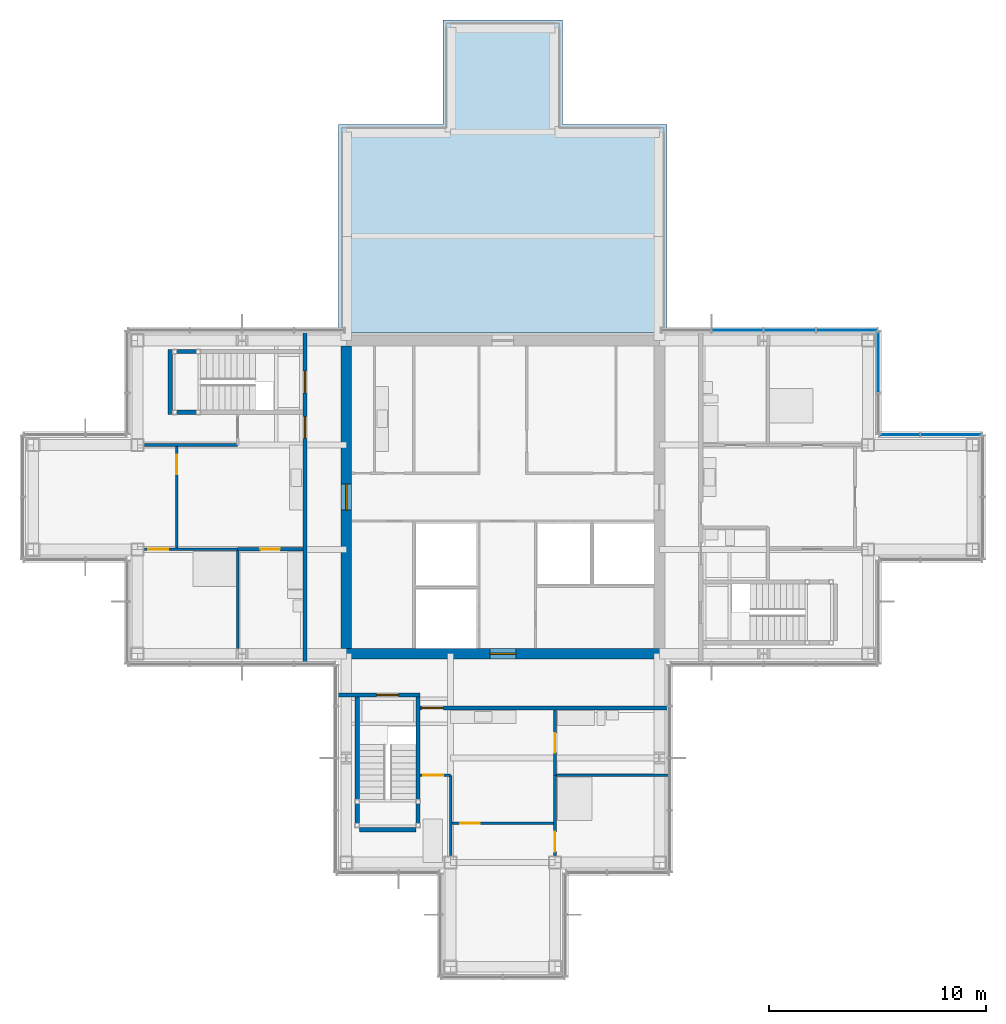
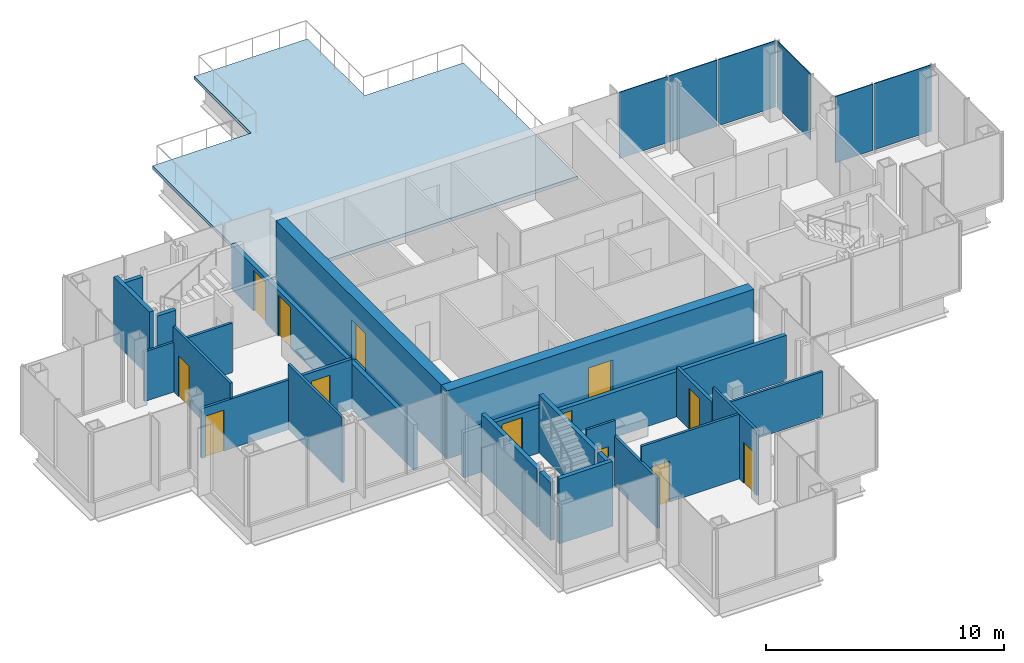
# One storey, part 9 of 14: 24 walls, 13 doors, 6 plates, 1 slab, 13 openings, 3 elements without a shape of their own.
"""IFC4 building model written with IfcOpenShell, lengths in metres."""

from ifc_helpers import new_model, si_unit, direction, frame, frame_2d, origin, origin_2d, place, context, subcontext, project, spatial, polyline, rectangle, outline, extrude, material, layer, layer_set, type_object, element, fill, aggregate, save


model = new_model("IFC4")

# Units and contexts
model_context = context("Model", 3, precision=1e-05, world=origin(), true_north=direction((0.0, 1.0)))
body_context = subcontext(model_context, "Body", "Model", "MODEL_VIEW")
ifc_project = project(units=[si_unit("LENGTHUNIT", "METRE"), si_unit("AREAUNIT", "SQUARE_METRE"), si_unit("VOLUMEUNIT", "CUBIC_METRE"), si_unit("PLANEANGLEUNIT", "RADIAN"), si_unit("MASSUNIT", "GRAM", prefix="KILO")], contexts=[model_context])

# Site, building, storey
site_placement = place(None, origin())
site = spatial("IfcSite", under=ifc_project, at=site_placement, CompositionType="ELEMENT")
building_placement = place(site_placement, origin())
building = spatial("IfcBuilding", under=site, at=building_placement, Name="Kvirike Care Tower", CompositionType="ELEMENT")
storey_placement = place(building_placement, frame((0.0, 0.0, 194.5)))
storey = spatial("IfcBuildingStorey", under=building, at=storey_placement, Name="L53", CompositionType="ELEMENT", Elevation=194.5)

# Slab
ifc_material_1 = material(Name="Concrete C35/45", Category="concrete")
ifc_layer_1 = layer(ifc_material_1, 0.169921875)
ifc_layer_set_1 = layer_set([ifc_layer_1], Name="TERRACE SLAB 170")
slab_type = type_object("IfcSlabType", Name="TERRACE SLAB 170", PredefinedType="ROOF", material=ifc_layer_set_1)
slab_placement = place(storey_placement, frame((0.0, 0.0, -0.169921875)))
element("IfcSlab", 1, at=slab_placement, inside=storey, type_object=slab_type, Name="L53 maintenance roof", PredefinedType="ROOF", context=body_context, shape_type="SweptSolid", body=[
    extrude(outline(polyline([(14.050048828125, 53.14990234375), (14.050048828125, 43.550048828125), (29.14990234375, 43.550048828125), (29.14990234375, 53.14990234375), (24.35009765625, 53.14990234375), (24.35009765625, 57.949951171875), (18.85009765625, 57.949951171875), (18.85009765625, 53.14990234375), (14.050048828125, 53.14990234375)])), origin(), (0.0, 0.0, 1.0), 0.169921875),
])

# Curtain wall, plates
ifc_material_2 = material(Name="Anodised aluminium stick system", Category="aluminium")
curtain_wall_type = type_object("IfcCurtainWallType", Name="CW-D STICK CURTAIN WALL", PredefinedType="NOTDEFINED", material=ifc_material_2)
curtain_wall_1_placement = place(storey_placement, origin())
curtain_wall_1 = element("IfcCurtainWall", 2, at=curtain_wall_1_placement, inside=storey, type_object=curtain_wall_type, Name="Curtain wall L53 face 5", PredefinedType="NOTDEFINED")
ifc_material_3 = material(Name="Tinted double glazed unit", Category="glass")
ifc_layer_2 = layer(ifc_material_3, 0.0439453125)
ifc_layer_set_2 = layer_set([ifc_layer_2], Name="TINTED VISION PANEL 44")
plate_type = type_object("IfcPlateType", Name="TINTED VISION PANEL 44", PredefinedType="CURTAIN_PANEL", material=ifc_layer_set_2)
plate_1_placement = place(storey_placement, frame((42.2236328125, 38.8798828125, 0.10009765625), z_axis=(0.0, 0.0, 1.0), x_axis=(-1.0, 0.0, 0.0)))
plate_1 = element("IfcPlate", 3, at=plate_1_placement, type_object=plate_type, Name="CW-D panel L53 face 5.1", PredefinedType="CURTAIN_PANEL", context=body_context, shape_type="SweptSolid", body=[
    extrude(rectangle(XDim=2.782470703125, YDim=0.0439453125, at=origin_2d()), origin(), (0.0, 0.0, 1.0), 3.39990234375),
])
plate_2_placement = place(storey_placement, frame((39.856201171875, 38.8798828125, 0.10009765625), z_axis=(0.0, 0.0, 1.0), x_axis=(-1.0, 0.0, 0.0)))
plate_2 = element("IfcPlate", 4, at=plate_2_placement, type_object=plate_type, Name="CW-D panel L53 face 5.2", PredefinedType="CURTAIN_PANEL", context=body_context, shape_type="SweptSolid", body=[
    extrude(rectangle(XDim=1.822509765625, YDim=0.0439453125, at=origin_2d()), origin(), (0.0, 0.0, 1.0), 3.39990234375),
])
aggregate(curtain_wall_1, [plate_1, plate_2])

# Curtain wall, plate
curtain_wall_2_placement = place(storey_placement, origin())
curtain_wall_2 = element("IfcCurtainWall", 5, at=curtain_wall_2_placement, inside=storey, type_object=curtain_wall_type, Name="Curtain wall L53 face 6", PredefinedType="NOTDEFINED")
plate_3_placement = place(storey_placement, frame((38.8798828125, 42.2236328125, 0.10009765625), z_axis=(0.0, 0.0, 1.0), x_axis=(0.0, 1.0, 0.0)))
plate_3 = element("IfcPlate", 6, at=plate_3_placement, type_object=plate_type, Name="CW-D panel L53 face 6.2", PredefinedType="CURTAIN_PANEL", context=body_context, shape_type="SweptSolid", body=[
    extrude(rectangle(XDim=2.782470703125, YDim=0.0439453125, at=origin_2d()), origin(), (0.0, 0.0, 1.0), 3.39990234375),
])
aggregate(curtain_wall_2, [plate_3])

# Curtain wall, plates
curtain_wall_3_placement = place(storey_placement, origin())
curtain_wall_3 = element("IfcCurtainWall", 7, at=curtain_wall_3_placement, inside=storey, type_object=curtain_wall_type, Name="Curtain wall L53 face 7", PredefinedType="NOTDEFINED")
plate_4_placement = place(storey_placement, frame((37.423828125, 43.679931640625, 0.10009765625), z_axis=(0.0, 0.0, 1.0), x_axis=(-1.0, 0.0, 0.0)))
plate_4 = element("IfcPlate", 8, at=plate_4_placement, type_object=plate_type, Name="CW-D panel L53 face 7.1", PredefinedType="CURTAIN_PANEL", context=body_context, shape_type="SweptSolid", body=[
    extrude(rectangle(XDim=2.782470703125, YDim=0.0439453125, at=origin_2d()), origin(), (0.0, 0.0, 1.0), 3.39990234375),
])
plate_5_placement = place(storey_placement, frame((34.800048828125, 43.679931640625, 0.10009765625), z_axis=(0.0, 0.0, 1.0), x_axis=(-1.0, 0.0, 0.0)))
plate_5 = element("IfcPlate", 9, at=plate_5_placement, type_object=plate_type, Name="CW-D panel L53 face 7.2", PredefinedType="CURTAIN_PANEL", context=body_context, shape_type="SweptSolid", body=[
    extrude(rectangle(XDim=2.3349609375, YDim=0.0439453125, at=origin_2d()), origin(), (0.0, 0.0, 1.0), 3.39990234375),
])
plate_6_placement = place(storey_placement, frame((32.39990234375, 43.679931640625, 0.10009765625), z_axis=(0.0, 0.0, 1.0), x_axis=(-1.0, 0.0, 0.0)))
plate_6 = element("IfcPlate", 10, at=plate_6_placement, type_object=plate_type, Name="CW-D panel L53 face 7.3", PredefinedType="CURTAIN_PANEL", context=body_context, shape_type="SweptSolid", body=[
    extrude(rectangle(XDim=2.3349609375, YDim=0.0439453125, at=origin_2d()), origin(), (0.0, 0.0, 1.0), 3.39990234375),
])
aggregate(curtain_wall_3, [plate_4, plate_5, plate_6])

# Wall, opening, door
ifc_material_4 = material(Name="Moisture-resistant board partition", Category="gypsum")
ifc_layer_3 = layer(ifc_material_4, 0.14990234375)
ifc_layer_set_3 = layer_set([ifc_layer_3], Name="BATHROOM WALL 150")
wall_type_1 = type_object("IfcWallType", Name="BATHROOM WALL 150", PredefinedType="PARTITIONING", material=ifc_layer_set_3)
wall_1_placement = place(storey_placement, frame((9.39990234375, 33.60009765625, 0.0), z_axis=(0.0, 0.0, 1.0), x_axis=(1.0, 0.0, 0.0)))
wall_1 = element("IfcWall", 11, at=wall_1_placement, inside=storey, type_object=wall_type_1, Name="Bathroom Wall 150 L53", PredefinedType="PARTITIONING", context=body_context, shape_type="SweptSolid", body=[
    extrude(rectangle(XDim=3.0, YDim=0.14990234375, at=frame_2d((1.5, 0.0))), origin(), (0.0, 0.0, 1.0), 2.550048828125),
])
opening_1_placement = place(wall_1_placement, frame((1.050048828125, 0.0, 0.0)))
opening_1 = element("IfcOpeningElement", 12, at=opening_1_placement, cuts=wall_1, Name="Opening 53-001", PredefinedType="OPENING", context=body_context, shape_type="SweptSolid", body=[
    extrude(rectangle(XDim=0.89990234375, YDim=2.10009765625, at=frame_2d((0.449951171875, 1.050048828125))), frame((0.0, 0.08544921875, 0.0), z_axis=(0.0, -1.0, 0.0), x_axis=(1.0, 0.0, 0.0)), (0.0, 0.0, 1.0), 0.1708984375),
])
ifc_material_5 = material(Name="Timber door set", Category="wood")
door_type_1 = type_object("IfcDoorType", Name="BATHROOM DOOR 900", OperationType="SINGLE_SWING_RIGHT", PredefinedType="DOOR", material=ifc_material_5)
door_1_placement = place(opening_1_placement, frame((0.89990234375, 0.0, 0.0), z_axis=(0.0, 0.0, 1.0), x_axis=(-1.0, 0.0, 0.0)))
door_1 = element("IfcDoor", 13, at=door_1_placement, inside=storey, type_object=door_type_1, Name="Bathroom door", OperationType="SINGLE_SWING_RIGHT", OverallHeight=2.10009765625, OverallWidth=0.89990234375, PredefinedType="DOOR", context=body_context, shape_type="SweptSolid", body=[
    extrude(rectangle(XDim=0.89990234375, YDim=2.10009765625, at=frame_2d((0.449951171875, 1.050048828125))), frame((0.0, 0.02197265625, 0.0), z_axis=(0.0, -1.0, 0.0), x_axis=(1.0, 0.0, 0.0)), (0.0, 0.0, 1.0), 0.0439453125),
])
fill(opening_1, door_1)

wall_2_placement = place(storey_placement, frame((24.0, 23.199951171875, 0.0), z_axis=(0.0, 0.0, 1.0), x_axis=(0.0, 1.0, 0.0)))
wall_2 = element("IfcWall", 14, at=wall_2_placement, inside=storey, type_object=wall_type_1, Name="Bathroom Wall 150 L53", PredefinedType="PARTITIONING", context=body_context, shape_type="SweptSolid", body=[
    extrude(rectangle(XDim=3.0, YDim=0.14990234375, at=frame_2d((1.5, 0.0))), origin(), (0.0, 0.0, 1.0), 2.550048828125),
])
opening_2_placement = place(wall_2_placement, frame((1.050048828125, 0.0, 0.0)))
opening_2 = element("IfcOpeningElement", 15, at=opening_2_placement, cuts=wall_2, Name="Opening 53-008", PredefinedType="OPENING", context=body_context, shape_type="SweptSolid", body=[
    extrude(rectangle(XDim=0.89990234375, YDim=2.10009765625, at=frame_2d((0.449951171875, 1.050048828125))), frame((0.0, 0.08544921875, 0.0), z_axis=(0.0, -1.0, 0.0), x_axis=(1.0, 0.0, 0.0)), (0.0, 0.0, 1.0), 0.1708984375),
])
door_2_placement = place(opening_2_placement, frame((0.89990234375, 0.0, 0.0), z_axis=(0.0, 0.0, 1.0), x_axis=(-1.0, 0.0, 0.0)))
door_2 = element("IfcDoor", 16, at=door_2_placement, inside=storey, type_object=door_type_1, Name="Bathroom door", OperationType="SINGLE_SWING_LEFT", OverallHeight=2.10009765625, OverallWidth=0.89990234375, PredefinedType="DOOR", context=body_context, shape_type="SweptSolid", body=[
    extrude(rectangle(XDim=0.89990234375, YDim=2.10009765625, at=frame_2d((0.449951171875, 1.050048828125))), frame((0.0, 0.02197265625, 0.0), z_axis=(0.0, -1.0, 0.0), x_axis=(1.0, 0.0, 0.0)), (0.0, 0.0, 1.0), 0.0439453125),
])
fill(opening_2, door_2)

ifc_material_6 = material(Name="Concrete C40/50", Category="concrete")
ifc_layer_4 = layer(ifc_material_6, 0.5)
ifc_layer_set_4 = layer_set([ifc_layer_4], Name="CORE WALL 500 C40-50")
wall_type_2 = type_object("IfcWallType", Name="CORE WALL 500 C40-50", PredefinedType="SHEAR", material=ifc_layer_set_4)
wall_3_placement = place(storey_placement, frame((14.14990234375, 28.800048828125, -0.169921875), z_axis=(0.0, 0.0, 1.0), x_axis=(1.0, 0.0, 0.0)))
wall_3 = element("IfcWall", 17, at=wall_3_placement, inside=storey, type_object=wall_type_2, Name="Core wall S L53", PredefinedType="SHEAR", context=body_context, shape_type="SweptSolid", body=[
    extrude(rectangle(XDim=14.900146484375, YDim=0.5, at=frame_2d((7.4501953125, 0.0))), origin(), (0.0, 0.0, 1.0), 3.5),
])
opening_3_placement = place(wall_3_placement, frame((6.85009765625, 0.0, 0.169921875)))
opening_3 = element("IfcOpeningElement", 18, at=opening_3_placement, cuts=wall_3, Name="Opening 53-033", PredefinedType="OPENING", context=body_context, shape_type="SweptSolid", body=[
    extrude(rectangle(XDim=1.199951171875, YDim=2.10009765625, at=frame_2d((0.60009765625, 1.050048828125))), frame((0.0, 0.260498046875, 0.0), z_axis=(0.0, -1.0, 0.0), x_axis=(1.0, 0.0, 0.0)), (0.0, 0.0, 1.0), 0.52099609375),
])
ifc_material_7 = material(Name="Timber door set", Category="wood")
door_type_2 = type_object("IfcDoorType", Name="CORE DOOR 1200", OperationType="SINGLE_SWING_LEFT", PredefinedType="DOOR", material=ifc_material_7)
door_3_placement = place(opening_3_placement, origin())
door_3 = element("IfcDoor", 19, at=door_3_placement, inside=storey, type_object=door_type_2, Name="Core door S L53", OperationType="SINGLE_SWING_LEFT", OverallHeight=2.10009765625, OverallWidth=1.199951171875, PredefinedType="DOOR", context=body_context, shape_type="SweptSolid", body=[
    extrude(rectangle(XDim=1.199951171875, YDim=2.10009765625, at=frame_2d((0.60009765625, 1.050048828125))), frame((0.0, 0.02685546875, 0.0), z_axis=(0.0, -1.0, 0.0), x_axis=(1.0, 0.0, 0.0)), (0.0, 0.0, 1.0), 0.053955078125),
])
fill(opening_3, door_3)

wall_4_placement = place(storey_placement, frame((14.39990234375, 42.949951171875, -0.169921875), z_axis=(0.0, 0.0, 1.0), x_axis=(0.0, -1.0, 0.0)))
wall_4 = element("IfcWall", 20, at=wall_4_placement, inside=storey, type_object=wall_type_2, Name="Core wall W L53", PredefinedType="SHEAR", context=body_context, shape_type="SweptSolid", body=[
    extrude(rectangle(XDim=13.89990234375, YDim=0.5, at=frame_2d((6.949951171875, 0.0))), origin(), (0.0, 0.0, 1.0), 3.5),
])
opening_4_placement = place(wall_4_placement, frame((6.35009765625, 0.0, 0.169921875)))
opening_4 = element("IfcOpeningElement", 21, at=opening_4_placement, cuts=wall_4, Name="Opening 53-034", PredefinedType="OPENING", context=body_context, shape_type="SweptSolid", body=[
    extrude(rectangle(XDim=1.199951171875, YDim=2.10009765625, at=frame_2d((0.60009765625, 1.050048828125))), frame((0.0, 0.260498046875, 0.0), z_axis=(0.0, -1.0, 0.0), x_axis=(1.0, 0.0, 0.0)), (0.0, 0.0, 1.0), 0.52099609375),
])
door_4_placement = place(opening_4_placement, origin())
door_4 = element("IfcDoor", 22, at=door_4_placement, inside=storey, type_object=door_type_2, Name="Core door W L53", OperationType="SINGLE_SWING_LEFT", OverallHeight=2.10009765625, OverallWidth=1.199951171875, PredefinedType="DOOR", context=body_context, shape_type="SweptSolid", body=[
    extrude(rectangle(XDim=1.199951171875, YDim=2.10009765625, at=frame_2d((0.60009765625, 1.050048828125))), frame((0.0, 0.02685546875, 0.0), z_axis=(0.0, -1.0, 0.0), x_axis=(1.0, 0.0, 0.0)), (0.0, 0.0, 1.0), 0.053955078125),
])
fill(opening_4, door_4)

# Wall, openings, doors
ifc_material_8 = material(Name="Plasterboard corridor wall", Category="gypsum")
ifc_layer_5 = layer(ifc_material_8, 0.199951171875)
ifc_layer_set_5 = layer_set([ifc_layer_5], Name="CORRIDOR WALL 200")
wall_type_3 = type_object("IfcWallType", Name="CORRIDOR WALL 200", PredefinedType="PARTITIONING", material=ifc_layer_set_5)
wall_5_placement = place(storey_placement, frame((12.5, 43.655029296875, 0.0), z_axis=(0.0, 0.0, 1.0), x_axis=(0.0, -1.0, 0.0)))
wall_5 = element("IfcWall", 23, at=wall_5_placement, inside=storey, type_object=wall_type_3, Name="Corridor Wall 200 L53", PredefinedType="PARTITIONING", context=body_context, shape_type="SweptSolid", body=[
    extrude(rectangle(XDim=15.31005859375, YDim=0.199951171875, at=frame_2d((7.655029296875, 0.0))), origin(), (0.0, 0.0, 1.0), 2.320068359375),
])
opening_5_placement = place(wall_5_placement, frame((1.85498046875, 0.0, 0.0)))
opening_5 = element("IfcOpeningElement", 24, at=opening_5_placement, cuts=wall_5, Name="Opening 53-005", PredefinedType="OPENING", context=body_context, shape_type="SweptSolid", body=[
    extrude(rectangle(XDim=1.0, YDim=2.10009765625, at=frame_2d((0.5, 1.050048828125))), frame((0.0, 0.110595703125, 0.0), z_axis=(0.0, -1.0, 0.0), x_axis=(1.0, 0.0, 0.0)), (0.0, 0.0, 1.0), 0.220947265625),
])
opening_6_placement = place(wall_5_placement, frame((3.955078125, 0.0, 0.0)))
opening_6 = element("IfcOpeningElement", 25, at=opening_6_placement, cuts=wall_5, Name="Opening 53-006", PredefinedType="OPENING", context=body_context, shape_type="SweptSolid", body=[
    extrude(rectangle(XDim=1.0, YDim=2.10009765625, at=frame_2d((0.5, 1.050048828125))), frame((0.0, 0.110595703125, 0.0), z_axis=(0.0, -1.0, 0.0), x_axis=(1.0, 0.0, 0.0)), (0.0, 0.0, 1.0), 0.220947265625),
])
ifc_material_9 = material(Name="Timber door set", Category="wood")
door_type_3 = type_object("IfcDoorType", Name="FLAT ENTRANCE DOOR 1000", OperationType="SINGLE_SWING_LEFT", PredefinedType="DOOR", material=ifc_material_9)
door_5_placement = place(opening_6_placement, frame((1.0, 0.0, 0.0), z_axis=(0.0, 0.0, 1.0), x_axis=(-1.0, 0.0, 0.0)))
door_5 = element("IfcDoor", 26, at=door_5_placement, inside=storey, type_object=door_type_3, Name="Two-room apartment entrance", OperationType="SINGLE_SWING_LEFT", OverallHeight=2.10009765625, OverallWidth=1.0, PredefinedType="DOOR", context=body_context, shape_type="SweptSolid", body=[
    extrude(rectangle(XDim=1.0, YDim=2.10009765625, at=frame_2d((0.5, 1.050048828125))), frame((0.0, 0.02685546875, 0.0), z_axis=(0.0, -1.0, 0.0), x_axis=(1.0, 0.0, 0.0)), (0.0, 0.0, 1.0), 0.053955078125),
])
fill(opening_6, door_5)
ifc_material_10 = material(Name="Timber door set", Category="wood")
door_type_4 = type_object("IfcDoorType", Name="STAIR DOOR 1000", OperationType="SINGLE_SWING_LEFT", PredefinedType="DOOR", material=ifc_material_10)
door_6_placement = place(opening_5_placement, frame((1.0, 0.0, 0.0), z_axis=(0.0, 0.0, 1.0), x_axis=(-1.0, 0.0, 0.0)))
door_6 = element("IfcDoor", 27, at=door_6_placement, inside=storey, type_object=door_type_4, Name="Stair 1 door", OperationType="SINGLE_SWING_RIGHT", OverallHeight=2.10009765625, OverallWidth=1.0, PredefinedType="DOOR", context=body_context, shape_type="SweptSolid", body=[
    extrude(rectangle(XDim=1.0, YDim=2.10009765625, at=frame_2d((0.5, 1.050048828125))), frame((0.0, 0.031982421875, 0.0), z_axis=(0.0, -1.0, 0.0), x_axis=(1.0, 0.0, 0.0)), (0.0, 0.0, 1.0), 0.06396484375),
])
fill(opening_5, door_6)

# Wall, opening, door
wall_6_placement = place(storey_placement, frame((17.800048828125, 26.300048828125, 0.0), z_axis=(0.0, 0.0, 1.0), x_axis=(1.0, 0.0, 0.0)))
wall_6 = element("IfcWall", 28, at=wall_6_placement, inside=storey, type_object=wall_type_3, Name="Corridor Wall 200 L53", PredefinedType="PARTITIONING", context=body_context, shape_type="SweptSolid", body=[
    extrude(rectangle(XDim=11.454833984375, YDim=0.199951171875, at=frame_2d((5.7275390625, 0.0))), origin(), (0.0, 0.0, 1.0), 2.320068359375),
])
opening_7_placement = place(wall_6_placement, frame((0.06005859375, 0.0, 0.0)))
opening_7 = element("IfcOpeningElement", 29, at=opening_7_placement, cuts=wall_6, Name="Opening 53-012", PredefinedType="OPENING", context=body_context, shape_type="SweptSolid", body=[
    extrude(rectangle(XDim=1.0, YDim=2.10009765625, at=frame_2d((0.5, 1.050048828125))), frame((0.0, 0.110595703125, 0.0), z_axis=(0.0, -1.0, 0.0), x_axis=(1.0, 0.0, 0.0)), (0.0, 0.0, 1.0), 0.220947265625),
])
door_7_placement = place(opening_7_placement, frame((1.0, 0.0, 0.0), z_axis=(0.0, 0.0, 1.0), x_axis=(-1.0, 0.0, 0.0)))
door_7 = element("IfcDoor", 30, at=door_7_placement, inside=storey, type_object=door_type_3, Name="Two-bedroom apartment entrance", OperationType="SINGLE_SWING_LEFT", OverallHeight=2.10009765625, OverallWidth=1.0, PredefinedType="DOOR", context=body_context, shape_type="SweptSolid", body=[
    extrude(rectangle(XDim=1.0, YDim=2.10009765625, at=frame_2d((0.5, 1.050048828125))), frame((0.0, 0.02685546875, 0.0), z_axis=(0.0, -1.0, 0.0), x_axis=(1.0, 0.0, 0.0)), (0.0, 0.0, 1.0), 0.053955078125),
])
fill(opening_7, door_7)

ifc_material_11 = material(Name="Plasterboard partition", Category="gypsum")
ifc_layer_6 = layer(ifc_material_11, 0.1201171875)
ifc_layer_set_6 = layer_set([ifc_layer_6], Name="PARTITION 120")
wall_type_4 = type_object("IfcWallType", Name="PARTITION 120", PredefinedType="PARTITIONING", material=ifc_layer_set_6)
wall_7_placement = place(storey_placement, frame((6.60009765625, 38.39990234375, 0.0), z_axis=(0.0, 0.0, 1.0), x_axis=(0.0, -1.0, 0.0)))
wall_7 = element("IfcWall", 31, at=wall_7_placement, inside=storey, type_object=wall_type_4, Name="Partition 120 L53", PredefinedType="PARTITIONING", context=body_context, shape_type="SweptSolid", body=[
    extrude(rectangle(XDim=4.7998046875, YDim=0.1201171875, at=frame_2d((2.39990234375, 0.0))), origin(), (0.0, 0.0, 1.0), 3.330078125),
])
opening_8_placement = place(wall_7_placement, frame((0.449951171875, 0.0, 0.0)))
opening_8 = element("IfcOpeningElement", 32, at=opening_8_placement, cuts=wall_7, Name="Opening 53-003", PredefinedType="OPENING", context=body_context, shape_type="SweptSolid", body=[
    extrude(rectangle(XDim=0.89990234375, YDim=2.10009765625, at=frame_2d((0.449951171875, 1.050048828125))), frame((0.0, 0.070556640625, 0.0), z_axis=(0.0, -1.0, 0.0), x_axis=(1.0, 0.0, 0.0)), (0.0, 0.0, 1.0), 0.14111328125),
])
ifc_material_12 = material(Name="Timber door set", Category="wood")
door_type_5 = type_object("IfcDoorType", Name="INTERNAL DOOR 900", OperationType="SINGLE_SWING_LEFT", PredefinedType="DOOR", material=ifc_material_12)
door_8_placement = place(opening_8_placement, frame((0.89990234375, 0.0, 0.0), z_axis=(0.0, 0.0, 1.0), x_axis=(-1.0, 0.0, 0.0)))
door_8 = element("IfcDoor", 33, at=door_8_placement, inside=storey, type_object=door_type_5, Name="Apartment living room door", OperationType="SINGLE_SWING_LEFT", OverallHeight=2.10009765625, OverallWidth=0.89990234375, PredefinedType="DOOR", context=body_context, shape_type="SweptSolid", body=[
    extrude(rectangle(XDim=0.89990234375, YDim=2.10009765625, at=frame_2d((0.449951171875, 1.050048828125))), frame((0.0, 0.02197265625, 0.0), z_axis=(0.0, -1.0, 0.0), x_axis=(1.0, 0.0, 0.0)), (0.0, 0.0, 1.0), 0.0439453125),
])
fill(opening_8, door_8)

# Walls
wall_8_placement = place(storey_placement, frame((9.39990234375, 33.60009765625, 0.0), z_axis=(0.0, 0.0, 1.0), x_axis=(0.0, -1.0, 0.0)))
element("IfcWall", 34, at=wall_8_placement, inside=storey, type_object=wall_type_4, Name="Partition 120 L53", PredefinedType="PARTITIONING", context=body_context, shape_type="SweptSolid", body=[
    extrude(rectangle(XDim=4.552978515625, YDim=0.1201171875, at=frame_2d((2.2763671875, 0.0))), origin(), (0.0, 0.0, 1.0), 3.330078125),
])
wall_9_placement = place(storey_placement, frame((5.1201171875, 38.39990234375, 0.0), z_axis=(0.0, 0.0, 1.0), x_axis=(1.0, 0.0, 0.0)))
element("IfcWall", 35, at=wall_9_placement, inside=storey, type_object=wall_type_4, Name="Partition 120 L53", PredefinedType="PARTITIONING", context=body_context, shape_type="SweptSolid", body=[
    extrude(rectangle(XDim=4.27978515625, YDim=0.1201171875, at=frame_2d((2.139892578125, 0.0))), origin(), (0.0, 0.0, 1.0), 2.550048828125),
])

# Wall, opening, door
wall_10_placement = place(storey_placement, frame((5.1201171875, 33.60009765625, 0.0), z_axis=(0.0, 0.0, 1.0), x_axis=(1.0, 0.0, 0.0)))
wall_10 = element("IfcWall", 36, at=wall_10_placement, inside=storey, type_object=wall_type_4, Name="Partition 120 L53", PredefinedType="PARTITIONING", context=body_context, shape_type="SweptSolid", body=[
    extrude(rectangle(XDim=4.27978515625, YDim=0.1201171875, at=frame_2d((2.139892578125, 0.0))), origin(), (0.0, 0.0, 1.0), 2.550048828125),
])
opening_9_placement = place(wall_10_placement, frame((0.179931640625, 0.0, 0.0)))
opening_9 = element("IfcOpeningElement", 37, at=opening_9_placement, cuts=wall_10, Name="Opening 53-004", PredefinedType="OPENING", context=body_context, shape_type="SweptSolid", body=[
    extrude(rectangle(XDim=0.89990234375, YDim=2.10009765625, at=frame_2d((0.449951171875, 1.050048828125))), frame((0.0, 0.070556640625, 0.0), z_axis=(0.0, -1.0, 0.0), x_axis=(1.0, 0.0, 0.0)), (0.0, 0.0, 1.0), 0.14111328125),
])
door_9_placement = place(opening_9_placement, frame((0.89990234375, 0.0, 0.0), z_axis=(0.0, 0.0, 1.0), x_axis=(-1.0, 0.0, 0.0)))
door_9 = element("IfcDoor", 38, at=door_9_placement, inside=storey, type_object=door_type_5, Name="Connecting door", OperationType="SINGLE_SWING_LEFT", OverallHeight=2.10009765625, OverallWidth=0.89990234375, PredefinedType="DOOR", context=body_context, shape_type="SweptSolid", body=[
    extrude(rectangle(XDim=0.89990234375, YDim=2.10009765625, at=frame_2d((0.449951171875, 1.050048828125))), frame((0.0, 0.02197265625, 0.0), z_axis=(0.0, -1.0, 0.0), x_axis=(1.0, 0.0, 0.0)), (0.0, 0.0, 1.0), 0.0439453125),
])
fill(opening_9, door_9)

wall_11_placement = place(storey_placement, frame((17.800048828125, 23.199951171875, 0.0), z_axis=(0.0, 0.0, 1.0), x_axis=(1.0, 0.0, 0.0)))
wall_11 = element("IfcWall", 39, at=wall_11_placement, inside=storey, type_object=wall_type_4, Name="Partition 120 L53", PredefinedType="PARTITIONING", context=body_context, shape_type="SweptSolid", body=[
    extrude(rectangle(XDim=1.39990234375, YDim=0.1201171875, at=frame_2d((0.699951171875, 0.0))), origin(), (0.0, 0.0, 1.0), 3.330078125),
])
opening_10_placement = place(wall_11_placement, frame((0.14990234375, 0.0, 0.0)))
opening_10 = element("IfcOpeningElement", 40, at=opening_10_placement, cuts=wall_11, Name="Opening 53-009", PredefinedType="OPENING", context=body_context, shape_type="SweptSolid", body=[
    extrude(rectangle(XDim=0.89990234375, YDim=2.10009765625, at=frame_2d((0.449951171875, 1.050048828125))), frame((0.0, 0.070556640625, 0.0), z_axis=(0.0, -1.0, 0.0), x_axis=(1.0, 0.0, 0.0)), (0.0, 0.0, 1.0), 0.14111328125),
])
door_10_placement = place(opening_10_placement, frame((0.89990234375, 0.0, 0.0), z_axis=(0.0, 0.0, 1.0), x_axis=(-1.0, 0.0, 0.0)))
door_10 = element("IfcDoor", 41, at=door_10_placement, inside=storey, type_object=door_type_5, Name="Apartment bedroom door", OperationType="SINGLE_SWING_LEFT", OverallHeight=2.10009765625, OverallWidth=0.89990234375, PredefinedType="DOOR", context=body_context, shape_type="SweptSolid", body=[
    extrude(rectangle(XDim=0.89990234375, YDim=2.10009765625, at=frame_2d((0.449951171875, 1.050048828125))), frame((0.0, 0.02197265625, 0.0), z_axis=(0.0, -1.0, 0.0), x_axis=(1.0, 0.0, 0.0)), (0.0, 0.0, 1.0), 0.0439453125),
])
fill(opening_10, door_10)

wall_12_placement = place(storey_placement, frame((19.199951171875, 21.0, 0.0), z_axis=(0.0, 0.0, 1.0), x_axis=(1.0, 0.0, 0.0)))
wall_12 = element("IfcWall", 42, at=wall_12_placement, inside=storey, type_object=wall_type_4, Name="Partition 120 L53", PredefinedType="PARTITIONING", context=body_context, shape_type="SweptSolid", body=[
    extrude(rectangle(XDim=4.800048828125, YDim=0.1201171875, at=frame_2d((2.39990234375, 0.0))), origin(), (0.0, 0.0, 1.0), 3.330078125),
])
opening_11_placement = place(wall_12_placement, frame((0.449951171875, 0.0, 0.0)))
opening_11 = element("IfcOpeningElement", 43, at=opening_11_placement, cuts=wall_12, Name="Opening 53-010", PredefinedType="OPENING", context=body_context, shape_type="SweptSolid", body=[
    extrude(rectangle(XDim=0.89990234375, YDim=2.10009765625, at=frame_2d((0.449951171875, 1.050048828125))), frame((0.0, 0.070556640625, 0.0), z_axis=(0.0, -1.0, 0.0), x_axis=(1.0, 0.0, 0.0)), (0.0, 0.0, 1.0), 0.14111328125),
])
door_11_placement = place(opening_11_placement, origin())
door_11 = element("IfcDoor", 44, at=door_11_placement, inside=storey, type_object=door_type_5, Name="Apartment living room door", OperationType="SINGLE_SWING_RIGHT", OverallHeight=2.10009765625, OverallWidth=0.89990234375, PredefinedType="DOOR", context=body_context, shape_type="SweptSolid", body=[
    extrude(rectangle(XDim=0.89990234375, YDim=2.10009765625, at=frame_2d((0.449951171875, 1.050048828125))), frame((0.0, 0.02197265625, 0.0), z_axis=(0.0, -1.0, 0.0), x_axis=(1.0, 0.0, 0.0)), (0.0, 0.0, 1.0), 0.0439453125),
])
fill(opening_11, door_11)

# Walls
wall_13_placement = place(storey_placement, frame((24.0, 23.199951171875, 0.0), z_axis=(0.0, 0.0, 1.0), x_axis=(1.0, 0.0, 0.0)))
element("IfcWall", 45, at=wall_13_placement, inside=storey, type_object=wall_type_4, Name="Partition 120 L53", PredefinedType="PARTITIONING", context=body_context, shape_type="SweptSolid", body=[
    extrude(rectangle(XDim=5.2548828125, YDim=0.1201171875, at=frame_2d((2.62744140625, 0.0))), origin(), (0.0, 0.0, 1.0), 2.320068359375),
])
wall_14_placement = place(storey_placement, frame((19.199951171875, 19.52001953125, 0.0), z_axis=(0.0, 0.0, 1.0), x_axis=(0.0, 1.0, 0.0)))
element("IfcWall", 46, at=wall_14_placement, inside=storey, type_object=wall_type_4, Name="Partition 120 L53", PredefinedType="PARTITIONING", context=body_context, shape_type="SweptSolid", body=[
    extrude(rectangle(XDim=3.679931640625, YDim=0.1201171875, at=frame_2d((1.83984375, 0.0))), origin(), (0.0, 0.0, 1.0), 2.550048828125),
])

# Wall, opening, door
wall_15_placement = place(storey_placement, frame((24.0, 19.52001953125, 0.0), z_axis=(0.0, 0.0, 1.0), x_axis=(0.0, 1.0, 0.0)))
wall_15 = element("IfcWall", 47, at=wall_15_placement, inside=storey, type_object=wall_type_4, Name="Partition 120 L53", PredefinedType="PARTITIONING", context=body_context, shape_type="SweptSolid", body=[
    extrude(rectangle(XDim=3.679931640625, YDim=0.1201171875, at=frame_2d((1.83984375, 0.0))), origin(), (0.0, 0.0, 1.0), 3.330078125),
])
opening_12_placement = place(wall_15_placement, frame((0.179931640625, 0.0, 0.0)))
opening_12 = element("IfcOpeningElement", 48, at=opening_12_placement, cuts=wall_15, Name="Opening 53-011", PredefinedType="OPENING", context=body_context, shape_type="SweptSolid", body=[
    extrude(rectangle(XDim=0.89990234375, YDim=2.10009765625, at=frame_2d((0.449951171875, 1.050048828125))), frame((0.0, 0.070556640625, 0.0), z_axis=(0.0, -1.0, 0.0), x_axis=(1.0, 0.0, 0.0)), (0.0, 0.0, 1.0), 0.14111328125),
])
door_12_placement = place(opening_12_placement, frame((0.89990234375, 0.0, 0.0), z_axis=(0.0, 0.0, 1.0), x_axis=(-1.0, 0.0, 0.0)))
door_12 = element("IfcDoor", 49, at=door_12_placement, inside=storey, type_object=door_type_5, Name="Connecting door", OperationType="SINGLE_SWING_LEFT", OverallHeight=2.10009765625, OverallWidth=0.89990234375, PredefinedType="DOOR", context=body_context, shape_type="SweptSolid", body=[
    extrude(rectangle(XDim=0.89990234375, YDim=2.10009765625, at=frame_2d((0.449951171875, 1.050048828125))), frame((0.0, 0.02197265625, 0.0), z_axis=(0.0, -1.0, 0.0), x_axis=(1.0, 0.0, 0.0)), (0.0, 0.0, 1.0), 0.0439453125),
])
fill(opening_12, door_12)

# Walls
ifc_material_13 = material(Name="Concrete C40/50", Category="concrete")
ifc_layer_7 = layer(ifc_material_13, 0.199951171875)
ifc_layer_set_7 = layer_set([ifc_layer_7], Name="STAIR WALL 200")
wall_type_5 = type_object("IfcWallType", Name="STAIR WALL 200", PredefinedType="SOLIDWALL", material=ifc_layer_set_7)
for number, where, z_axis, x_axis, name in (
    (50, (6.60009765625, 42.699951171875, 0.0), (0.0, 0.0, 1.0), (1.0, 0.0, 0.0), "Stair Wall 200 L53"),
    (51, (6.60009765625, 39.89990234375, 0.0), (0.0, 0.0, 1.0), (1.0, 0.0, 0.0), "Stair Wall 200 L53"),
):
    element("IfcWall", number, at=place(storey_placement, frame(where, z_axis=z_axis, x_axis=x_axis)), inside=storey, type_object=wall_type_5, Name=name, PredefinedType="SOLIDWALL", context=body_context, shape_type="SweptSolid", body=[
        extrude(rectangle(XDim=0.89990234375, YDim=0.199951171875, at=frame_2d((0.449951171875, 0.0))), origin(), (0.0, 0.0, 1.0), 2.989990234375),
    ])
wall_16_placement = place(storey_placement, frame((6.300048828125, 42.800048828125, 0.0), z_axis=(0.0, 0.0, 1.0), x_axis=(0.0, -1.0, 0.0)))
element("IfcWall", 52, at=wall_16_placement, inside=storey, type_object=wall_type_5, Name="Stair Wall 200 L53", PredefinedType="SOLIDWALL", context=body_context, shape_type="SweptSolid", body=[
    extrude(rectangle(XDim=3.0, YDim=0.199951171875, at=frame_2d((1.5, 0.0))), origin(), (0.0, 0.0, 1.0), 3.330078125),
])
wall_17_placement = place(storey_placement, frame((14.89990234375, 21.0, 0.0), z_axis=(0.0, 0.0, 1.0), x_axis=(0.0, 1.0, 0.0)))
element("IfcWall", 53, at=wall_17_placement, inside=storey, type_object=wall_type_5, Name="Stair Wall 200 L53", PredefinedType="SOLIDWALL", context=body_context, shape_type="SweptSolid", body=[
    extrude(rectangle(XDim=0.89990234375, YDim=0.199951171875, at=frame_2d((0.449951171875, 0.0))), origin(), (0.0, 0.0, 1.0), 2.989990234375),
])
wall_18_placement = place(storey_placement, frame((14.89990234375, 22.10009765625, 0.0), z_axis=(0.0, 0.0, 1.0), x_axis=(0.0, 1.0, 0.0)))
element("IfcWall", 54, at=wall_18_placement, inside=storey, type_object=wall_type_5, Name="Stair Wall 200 L53", PredefinedType="SOLIDWALL", context=body_context, shape_type="SweptSolid", body=[
    extrude(rectangle(XDim=4.699951171875, YDim=0.199951171875, at=frame_2d((2.35009765625, 0.0))), origin(), (0.0, 0.0, 1.0), 2.989990234375),
])
wall_19_placement = place(storey_placement, frame((17.699951171875, 21.0, 0.0), z_axis=(0.0, 0.0, 1.0), x_axis=(0.0, 1.0, 0.0)))
element("IfcWall", 55, at=wall_19_placement, inside=storey, type_object=wall_type_5, Name="Stair Wall 200 L53", PredefinedType="SOLIDWALL", context=body_context, shape_type="SweptSolid", body=[
    extrude(rectangle(XDim=0.89990234375, YDim=0.199951171875, at=frame_2d((0.449951171875, 0.0))), origin(), (0.0, 0.0, 1.0), 2.989990234375),
])
wall_20_placement = place(storey_placement, frame((17.699951171875, 22.10009765625, 0.0), z_axis=(0.0, 0.0, 1.0), x_axis=(0.0, 1.0, 0.0)))
element("IfcWall", 56, at=wall_20_placement, inside=storey, type_object=wall_type_5, Name="Stair Wall 200 L53", PredefinedType="SOLIDWALL", context=body_context, shape_type="SweptSolid", body=[
    extrude(rectangle(XDim=4.699951171875, YDim=0.199951171875, at=frame_2d((2.35009765625, 0.0))), origin(), (0.0, 0.0, 1.0), 2.989990234375),
])
wall_21_placement = place(storey_placement, frame((15.0, 20.699951171875, 0.0), z_axis=(0.0, 0.0, 1.0), x_axis=(1.0, 0.0, 0.0)))
element("IfcWall", 57, at=wall_21_placement, inside=storey, type_object=wall_type_5, Name="Stair Wall 200 L53", PredefinedType="SOLIDWALL", context=body_context, shape_type="SweptSolid", body=[
    extrude(rectangle(XDim=2.60009765625, YDim=0.199951171875, at=frame_2d((1.300048828125, 0.0))), origin(), (0.0, 0.0, 1.0), 3.330078125),
])

# Wall, opening, door
wall_22_placement = place(storey_placement, frame((13.945068359375, 26.89990234375, 0.0), z_axis=(0.0, 0.0, 1.0), x_axis=(1.0, 0.0, 0.0)))
wall_22 = element("IfcWall", 58, at=wall_22_placement, inside=storey, type_object=wall_type_5, Name="Stair Wall 200 L53", PredefinedType="SOLIDWALL", context=body_context, shape_type="SweptSolid", body=[
    extrude(rectangle(XDim=3.85498046875, YDim=0.199951171875, at=frame_2d((1.927490234375, 0.0))), origin(), (0.0, 0.0, 1.0), 2.320068359375),
])
opening_13_placement = place(wall_22_placement, frame((1.85498046875, 0.0, 0.0)))
opening_13 = element("IfcOpeningElement", 59, at=opening_13_placement, cuts=wall_22, Name="Opening 53-007", PredefinedType="OPENING", context=body_context, shape_type="SweptSolid", body=[
    extrude(rectangle(XDim=1.0, YDim=2.10009765625, at=frame_2d((0.5, 1.050048828125))), frame((0.0, 0.110595703125, 0.0), z_axis=(0.0, -1.0, 0.0), x_axis=(1.0, 0.0, 0.0)), (0.0, 0.0, 1.0), 0.220947265625),
])
door_13_placement = place(opening_13_placement, frame((1.0, 0.0, 0.0), z_axis=(0.0, 0.0, 1.0), x_axis=(-1.0, 0.0, 0.0)))
door_13 = element("IfcDoor", 60, at=door_13_placement, inside=storey, type_object=door_type_4, Name="Stair 5 door", OperationType="SINGLE_SWING_LEFT", OverallHeight=2.10009765625, OverallWidth=1.0, PredefinedType="DOOR", context=body_context, shape_type="SweptSolid", body=[
    extrude(rectangle(XDim=1.0, YDim=2.10009765625, at=frame_2d((0.5, 1.050048828125))), frame((0.0, 0.031982421875, 0.0), z_axis=(0.0, -1.0, 0.0), x_axis=(1.0, 0.0, 0.0)), (0.0, 0.0, 1.0), 0.06396484375),
])
fill(opening_13, door_13)

save(model, "model.ifc")
